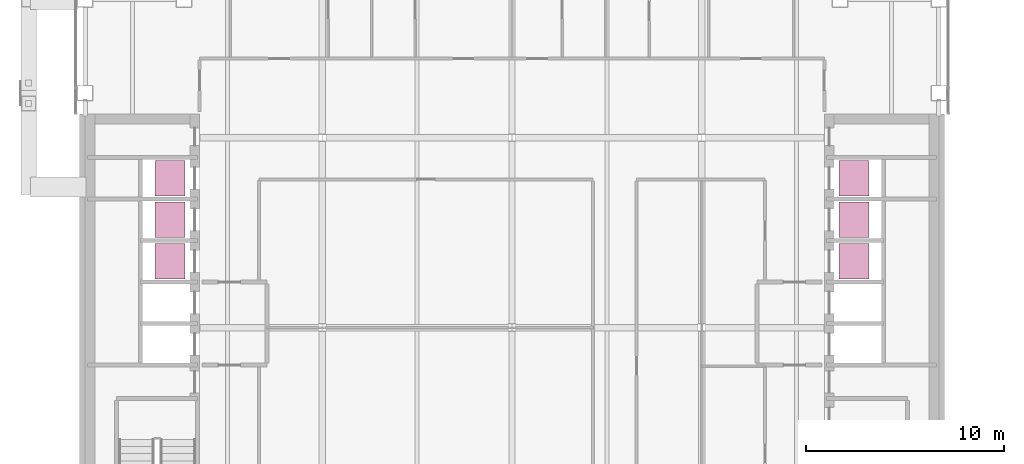
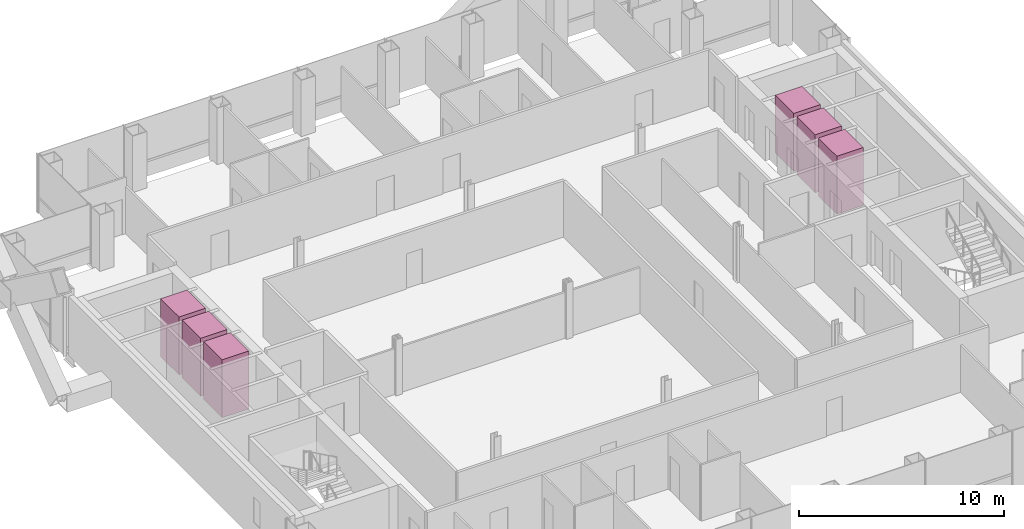
# One storey, part 14 of 14: 6 transport elements.
"""IFC4 building model written with IfcOpenShell, lengths in metres."""

from ifc_helpers import new_model, si_unit, direction, frame, origin, origin_2d, place, context, subcontext, project, spatial, rectangle, extrude, material, type_object, element, save


model = new_model("IFC4")

# Units and contexts
model_context = context("Model", 3, precision=1e-05, world=origin(), true_north=direction((0.0, 1.0)))
body_context = subcontext(model_context, "Body", "Model", "MODEL_VIEW")
ifc_project = project(units=[si_unit("LENGTHUNIT", "METRE"), si_unit("AREAUNIT", "SQUARE_METRE"), si_unit("VOLUMEUNIT", "CUBIC_METRE"), si_unit("PLANEANGLEUNIT", "RADIAN"), si_unit("MASSUNIT", "GRAM", prefix="KILO")], contexts=[model_context])

# Site, building, storey
site_placement = place(None, origin())
site = spatial("IfcSite", under=ifc_project, at=site_placement, CompositionType="ELEMENT")
building_placement = place(site_placement, origin())
building = spatial("IfcBuilding", under=site, at=building_placement, Name="Cobrizo Arcos Hotel Tower", CompositionType="ELEMENT")
storey_placement = place(building_placement, frame((0.0, 0.0, 179.5)))
storey = spatial("IfcBuildingStorey", under=building, at=storey_placement, Name="L46", CompositionType="ELEMENT", Elevation=179.5)

# Transport elements
ifc_material = material(Name="Stainless steel car", Category="steel")
transport_element_type = type_object("IfcTransportElementType", Name="Lift car High 1.8x1.5", PredefinedType="ELEVATOR", material=ifc_material)
for number, where, z_axis, x_axis, name in (
    (1, (-17.300048828125, 3.35009765625, 0.0), (0.0, 0.0, 1.0), (1.0, 0.0, 0.0), "High-rise passenger lift W1"),
    (2, (-17.300048828125, 5.449951171875, 0.0), (0.0, 0.0, 1.0), (1.0, 0.0, 0.0), "High-rise passenger lift W2"),
    (3, (-17.300048828125, 7.550048828125, 0.0), (0.0, 0.0, 1.0), (1.0, 0.0, 0.0), "High-rise passenger lift W3"),
    (4, (17.300048828125, 3.35009765625, 0.0), (0.0, 0.0, 1.0), (1.0, 0.0, 0.0), "High-rise passenger lift E1"),
    (5, (17.300048828125, 5.449951171875, 0.0), (0.0, 0.0, 1.0), (1.0, 0.0, 0.0), "High-rise passenger lift E2"),
    (6, (17.300048828125, 7.550048828125, 0.0), (0.0, 0.0, 1.0), (1.0, 0.0, 0.0), "High-rise passenger lift E3"),
):
    element("IfcTransportElement", number, at=place(storey_placement, frame(where, z_axis=z_axis, x_axis=x_axis)), inside=storey, type_object=transport_element_type, Name=name, PredefinedType="ELEVATOR", context=body_context, shape_type="SweptSolid", body=[
        extrude(rectangle(XDim=1.5, YDim=1.800048828125, at=origin_2d()), origin(), (0.0, 0.0, 1.0), 3.449951171875),
    ])

save(model, "model.ifc")
